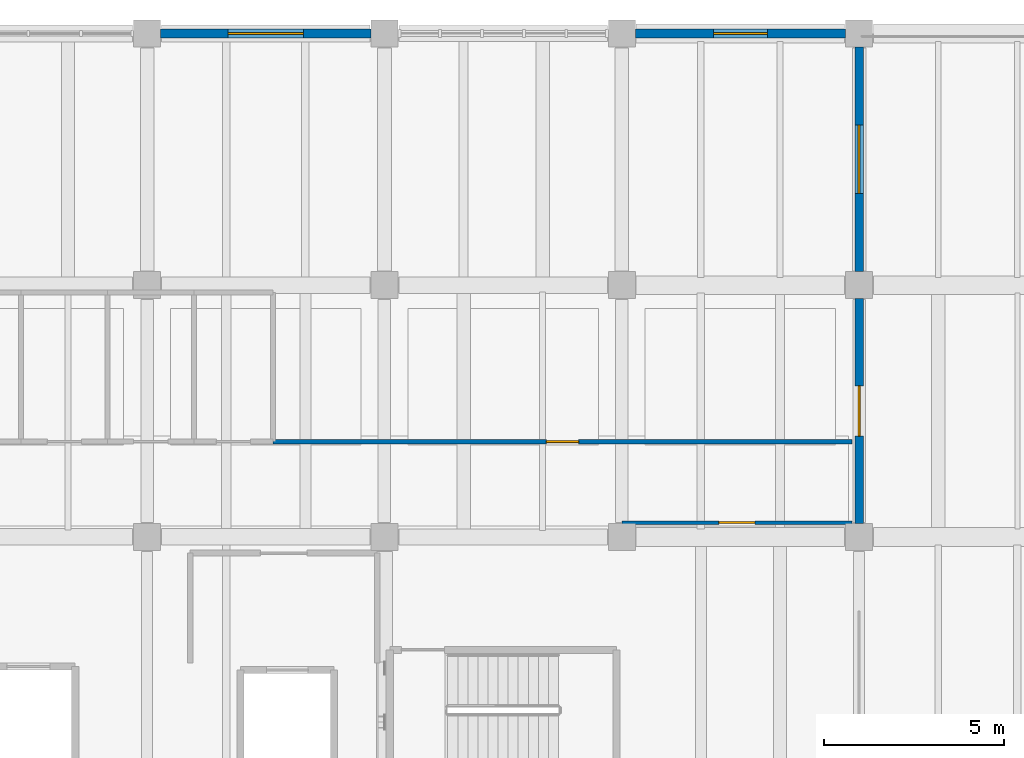
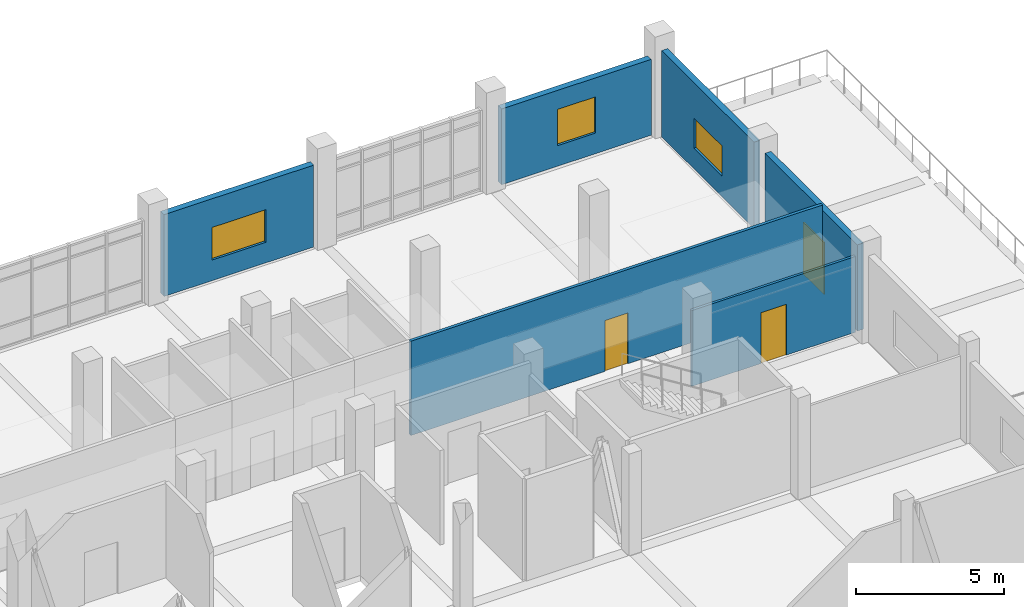
# One storey, part 53 of 65: 6 walls, 3 doors, 3 windows, 6 openings.
"""IFC4 building model written with IfcOpenShell, lengths in metres."""

from ifc_helpers import new_model, si_unit, direction, frame, frame_2d, origin, place, context, subcontext, project, spatial, rectangle, extrude, material, layer, layer_set, type_object, element, fill, save


model = new_model("IFC4")

# Units and contexts
model_context = context("Model", 3, precision=1e-05, world=origin(), true_north=direction((0.0, 1.0)))
body_context = subcontext(model_context, "Body", "Model", "MODEL_VIEW")
ifc_project = project(units=[si_unit("LENGTHUNIT", "METRE"), si_unit("AREAUNIT", "SQUARE_METRE"), si_unit("VOLUMEUNIT", "CUBIC_METRE"), si_unit("PLANEANGLEUNIT", "RADIAN"), si_unit("MASSUNIT", "GRAM", prefix="KILO")], contexts=[model_context])

# Site, building, storey
site_placement = place(None, origin())
site = spatial("IfcSite", under=ifc_project, at=site_placement, CompositionType="ELEMENT")
building_placement = place(site_placement, origin())
building = spatial("IfcBuilding", under=site, at=building_placement, Name="Ciguamira Faculty of Natural Sciences", CompositionType="ELEMENT")
storey_placement = place(building_placement, frame((0.0, 0.0, 12.60009765625)))
storey = spatial("IfcBuildingStorey", under=building, at=storey_placement, Name="L03", CompositionType="ELEMENT", Elevation=12.60009765625)

# Wall, opening, window
ifc_material_1 = material(Name="Precast concrete C40/50", Category="concrete")
ifc_layer_1 = layer(ifc_material_1, 0.239990234375, Name="Precast concrete C40/50")
ifc_layer_set_1 = layer_set([ifc_layer_1], Name="Precast concrete C40/50")
wall_type_1 = type_object("IfcWallType", Name="ExtWall_EW-02_240", PredefinedType="SOLIDWALL", material=ifc_layer_set_1)
wall_1_placement = place(storey_placement, frame((90.675048828125, 115.0, 0.0), z_axis=(0.0, 0.0, 1.0), x_axis=(1.0, 0.0, 0.0)))
wall_1 = element("IfcWall", 1, at=wall_1_placement, inside=storey, type_object=wall_type_1, Name="L03 exterior wall 0285", PredefinedType="SOLIDWALL", context=body_context, shape_type="SweptSolid", body=[
    extrude(rectangle(XDim=5.849853515625, YDim=0.239990234375, at=frame_2d((2.9248046875, 0.0))), origin(), (0.0, 0.0, 1.0), 3.385009765625),
])
opening_1_placement = place(wall_1_placement, frame((1.875, 0.0, 0.85009765625)))
opening_1 = element("IfcOpeningElement", 2, at=opening_1_placement, cuts=wall_1, Name="Opening WT-06", PredefinedType="OPENING", context=body_context, shape_type="SweptSolid", body=[
    extrude(rectangle(XDim=2.10009765625, YDim=1.35009765625, at=frame_2d((1.050048828125, 0.675048828125))), frame((0.0, 0.1298828125, 0.0), z_axis=(0.0, -1.0, 0.0), x_axis=(1.0, 0.0, 0.0)), (0.0, 0.0, 1.0), 0.260009765625),
])
ifc_material_2 = material(Name="Hurricane laminated solar glass", Category="glass")
window_type_1 = type_object("IfcWindowType", Name="Window_WT-06_2100x1350", PartitioningType="DOUBLE_PANEL_VERTICAL", PredefinedType="WINDOW", material=ifc_material_2)
window_1_placement = place(opening_1_placement, origin())
window_1 = element("IfcWindow", 3, at=window_1_placement, inside=storey, type_object=window_type_1, Name="L03 facade window 0181", OverallHeight=1.35009765625, OverallWidth=2.10009765625, PartitioningType="SINGLE_PANEL", PredefinedType="WINDOW", context=body_context, shape_type="SweptSolid", body=[
    extrude(rectangle(XDim=2.10009765625, YDim=1.35009765625, at=frame_2d((1.050048828125, 0.675048828125))), frame((0.0, 0.030029296875, 0.0), z_axis=(0.0, -1.0, 0.0), x_axis=(1.0, 0.0, 0.0)), (0.0, 0.0, 1.0), 0.06005859375),
])
fill(opening_1, window_1)

wall_2_placement = place(storey_placement, frame((103.875, 115.0, 0.0), z_axis=(0.0, 0.0, 1.0), x_axis=(1.0, 0.0, 0.0)))
wall_2 = element("IfcWall", 4, at=wall_2_placement, inside=storey, type_object=wall_type_1, Name="L03 exterior wall 0286", PredefinedType="SOLIDWALL", context=body_context, shape_type="SweptSolid", body=[
    extrude(rectangle(XDim=5.85009765625, YDim=0.239990234375, at=frame_2d((2.925048828125, 0.0))), origin(), (0.0, 0.0, 1.0), 3.135009765625),
])
opening_2_placement = place(wall_2_placement, frame((2.175048828125, 0.0, 0.85009765625)))
opening_2 = element("IfcOpeningElement", 5, at=opening_2_placement, cuts=wall_2, Name="Opening WT-09", PredefinedType="OPENING", context=body_context, shape_type="SweptSolid", body=[
    extrude(rectangle(XDim=1.5, YDim=1.5, at=frame_2d((0.75, 0.75))), frame((0.0, 0.1298828125, 0.0), z_axis=(0.0, -1.0, 0.0), x_axis=(1.0, 0.0, 0.0)), (0.0, 0.0, 1.0), 0.260009765625),
])
window_type_2 = type_object("IfcWindowType", Name="Window_WT-09_1500x1500", PartitioningType="DOUBLE_PANEL_VERTICAL", PredefinedType="WINDOW", material=ifc_material_2)
window_2_placement = place(opening_2_placement, origin())
window_2 = element("IfcWindow", 6, at=window_2_placement, inside=storey, type_object=window_type_2, Name="L03 facade window 0182", OverallHeight=1.5, OverallWidth=1.5, PartitioningType="SINGLE_PANEL", PredefinedType="WINDOW", context=body_context, shape_type="SweptSolid", body=[
    extrude(rectangle(XDim=1.5, YDim=1.5, at=frame_2d((0.75, 0.75))), frame((0.0, 0.030029296875, 0.0), z_axis=(0.0, -1.0, 0.0), x_axis=(1.0, 0.0, 0.0)), (0.0, 0.0, 1.0), 0.06005859375),
])
fill(opening_2, window_2)

# Wall, opening, door
wall_3_placement = place(storey_placement, frame((110.10009765625, 101.375, 0.0), z_axis=(0.0, 0.0, 1.0), x_axis=(0.0, 1.0, 0.0)))
wall_3 = element("IfcWall", 7, at=wall_3_placement, inside=storey, type_object=wall_type_1, Name="L03 exterior wall 0309", PredefinedType="SOLIDWALL", context=body_context, shape_type="SweptSolid", body=[
    extrude(rectangle(XDim=6.25, YDim=0.239990234375, at=frame_2d((3.125, 0.0))), origin(), (0.0, 0.0, 1.0), 3.56494140625),
])
opening_3_placement = place(wall_3_placement, frame((2.425048828125, 0.0, 0.0)))
opening_3 = element("IfcOpeningElement", 8, at=opening_3_placement, cuts=wall_3, Name="Opening ED-06", PredefinedType="OPENING", context=body_context, shape_type="SweptSolid", body=[
    extrude(rectangle(XDim=1.39990234375, YDim=2.14990234375, at=frame_2d((0.699951171875, 1.074951171875))), frame((0.0, 0.1298828125, 0.0), z_axis=(0.0, -1.0, 0.0), x_axis=(1.0, 0.0, 0.0)), (0.0, 0.0, 1.0), 0.260009765625),
])
ifc_material_3 = material(Name="Loggia terrace access door")
door_type_1 = type_object("IfcDoorType", Name="ExtDoor_ED-06_1400x2150", OperationType="NOTDEFINED", PredefinedType="DOOR", material=ifc_material_3)
door_1_placement = place(opening_3_placement, frame((1.39990234375, 0.0, 0.0), z_axis=(0.0, 0.0, 1.0), x_axis=(-1.0, 0.0, 0.0)))
door_1 = element("IfcDoor", 9, at=door_1_placement, inside=storey, type_object=door_type_1, Name="Research East Setback Terrace Door", OperationType="SINGLE_SWING_LEFT", OverallHeight=2.14990234375, OverallWidth=1.39990234375, PredefinedType="DOOR", context=body_context, shape_type="SweptSolid", body=[
    extrude(rectangle(XDim=1.39990234375, YDim=2.14990234375, at=frame_2d((0.699951171875, 1.074951171875))), frame((0.0, 0.02490234375, 0.0), z_axis=(0.0, -1.0, 0.0), x_axis=(1.0, 0.0, 0.0)), (0.0, 0.0, 1.0), 0.050048828125),
])
fill(opening_3, door_1)

# Wall, opening, window
wall_4_placement = place(storey_placement, frame((110.10009765625, 108.375, 0.0), z_axis=(0.0, 0.0, 1.0), x_axis=(0.0, 1.0, 0.0)))
wall_4 = element("IfcWall", 10, at=wall_4_placement, inside=storey, type_object=wall_type_1, Name="L03 exterior wall 0310", PredefinedType="SOLIDWALL", context=body_context, shape_type="SweptSolid", body=[
    extrude(rectangle(XDim=6.25, YDim=0.239990234375, at=frame_2d((3.125, 0.0))), origin(), (0.0, 0.0, 1.0), 3.56494140625),
])
opening_4_placement = place(wall_4_placement, frame((2.175048828125, 0.0, 0.85009765625)))
opening_4 = element("IfcOpeningElement", 11, at=opening_4_placement, cuts=wall_4, Name="Opening WT-17", PredefinedType="OPENING", context=body_context, shape_type="SweptSolid", body=[
    extrude(rectangle(XDim=1.89990234375, YDim=1.25, at=frame_2d((0.949951171875, 0.625))), frame((0.0, 0.1298828125, 0.0), z_axis=(0.0, -1.0, 0.0), x_axis=(1.0, 0.0, 0.0)), (0.0, 0.0, 1.0), 0.260009765625),
])
window_type_3 = type_object("IfcWindowType", Name="Window_WT-17_1900x1250", PartitioningType="DOUBLE_PANEL_VERTICAL", PredefinedType="WINDOW", material=ifc_material_2)
window_3_placement = place(opening_4_placement, origin())
window_3 = element("IfcWindow", 12, at=window_3_placement, inside=storey, type_object=window_type_3, Name="L03 facade window 0204", OverallHeight=1.25, OverallWidth=1.89990234375, PartitioningType="SINGLE_PANEL", PredefinedType="WINDOW", context=body_context, shape_type="SweptSolid", body=[
    extrude(rectangle(XDim=1.89990234375, YDim=1.25, at=frame_2d((0.949951171875, 0.625))), frame((0.0, 0.030029296875, 0.0), z_axis=(0.0, -1.0, 0.0), x_axis=(1.0, 0.0, 0.0)), (0.0, 0.0, 1.0), 0.06005859375),
])
fill(opening_4, window_3)

# Wall, opening, door
ifc_material_4 = material(Name="Fire-rated gypsum partition")
ifc_layer_2 = layer(ifc_material_4, 0.10009765625, Name="Fire-rated gypsum partition")
ifc_layer_set_2 = layer_set([ifc_layer_2], Name="Fire-rated gypsum partition")
wall_type_2 = type_object("IfcWallType", Name="IntWall_IW-A10_100", PredefinedType="PARTITIONING", material=ifc_layer_set_2)
wall_5_placement = place(storey_placement, frame((103.5, 101.39990234375, 0.0), z_axis=(0.0, 0.0, 1.0), x_axis=(1.0, 0.0, 0.0)))
wall_5 = element("IfcWall", 13, at=wall_5_placement, inside=storey, type_object=wall_type_2, Name="L03 East Terrace Access Faculty Study partition north", PredefinedType="PARTITIONING", context=body_context, shape_type="SweptSolid", body=[
    extrude(rectangle(XDim=6.39990234375, YDim=0.10009765625, at=frame_2d((3.199951171875, 0.0))), origin(), (0.0, 0.0, 1.0), 3.135009765625),
])
opening_5_placement = place(wall_5_placement, frame((2.699951171875, 0.0, 0.0)))
opening_5 = element("IfcOpeningElement", 14, at=opening_5_placement, cuts=wall_5, Name="Opening ID-03", PredefinedType="OPENING", context=body_context, shape_type="SweptSolid", body=[
    extrude(rectangle(XDim=1.0, YDim=2.10009765625, at=frame_2d((0.5, 1.050048828125))), frame((0.0, 0.06005859375, 0.0), z_axis=(0.0, -1.0, 0.0), x_axis=(1.0, 0.0, 0.0)), (0.0, 0.0, 1.0), 0.1201171875),
])
ifc_material_5 = material(Name="Restroom lobby fire door")
door_type_2 = type_object("IfcDoorType", Name="IntDoor_ID-03_1000x2100", OperationType="NOTDEFINED", PredefinedType="DOOR", material=ifc_material_5)
door_2_placement = place(opening_5_placement, frame((1.0, 0.0, 0.0), z_axis=(0.0, 0.0, 1.0), x_axis=(-1.0, 0.0, 0.0)))
door_2 = element("IfcDoor", 15, at=door_2_placement, inside=storey, type_object=door_type_2, Name="L03 East Terrace Access Faculty Study door", OperationType="SINGLE_SWING_RIGHT", OverallHeight=2.10009765625, OverallWidth=1.0, PredefinedType="DOOR", context=body_context, shape_type="SweptSolid", body=[
    extrude(rectangle(XDim=1.0, YDim=2.10009765625, at=frame_2d((0.5, 1.050048828125))), frame((0.0, 0.02490234375, 0.0), z_axis=(0.0, -1.0, 0.0), x_axis=(1.0, 0.0, 0.0)), (0.0, 0.0, 1.0), 0.050048828125),
])
fill(opening_5, door_2)

ifc_material_6 = material(Name="Acoustic double-stud gypsum partition")
ifc_layer_3 = layer(ifc_material_6, 0.1201171875, Name="Acoustic double-stud gypsum partition")
ifc_layer_set_3 = layer_set([ifc_layer_3], Name="Acoustic double-stud gypsum partition")
wall_type_3 = type_object("IfcWallType", Name="IntWall_IW-A12_120", PredefinedType="PARTITIONING", material=ifc_layer_set_3)
wall_6_placement = place(storey_placement, frame((93.800048828125, 103.64990234375, 0.0), z_axis=(0.0, 0.0, 1.0), x_axis=(1.0, 0.0, 0.0)))
wall_6 = element("IfcWall", 16, at=wall_6_placement, inside=storey, type_object=wall_type_3, Name="L03 Oceanography Seminar and Terrace Lounge partition south", PredefinedType="PARTITIONING", context=body_context, shape_type="SweptSolid", body=[
    extrude(rectangle(XDim=16.099853515625, YDim=0.1201171875, at=frame_2d((8.0498046875, 0.0))), origin(), (0.0, 0.0, 1.0), 3.89990234375),
])
opening_6_placement = place(wall_6_placement, frame((7.60009765625, 0.0, 0.0)))
opening_6 = element("IfcOpeningElement", 17, at=opening_6_placement, cuts=wall_6, Name="Opening ID-01", PredefinedType="OPENING", context=body_context, shape_type="SweptSolid", body=[
    extrude(rectangle(XDim=0.89990234375, YDim=2.10009765625, at=frame_2d((0.449951171875, 1.050048828125))), frame((0.0, 0.070068359375, 0.0), z_axis=(0.0, -1.0, 0.0), x_axis=(1.0, 0.0, 0.0)), (0.0, 0.0, 1.0), 0.14013671875),
])
ifc_material_7 = material(Name="Single timber office door", Category="wood")
door_type_3 = type_object("IfcDoorType", Name="IntDoor_ID-01_900x2100", OperationType="NOTDEFINED", PredefinedType="DOOR", material=ifc_material_7)
door_3_placement = place(opening_6_placement, origin())
door_3 = element("IfcDoor", 18, at=door_3_placement, inside=storey, type_object=door_type_3, Name="L03 Oceanography Seminar and Terrace Lounge door", OperationType="SINGLE_SWING_RIGHT", OverallHeight=2.10009765625, OverallWidth=0.89990234375, PredefinedType="DOOR", context=body_context, shape_type="SweptSolid", body=[
    extrude(rectangle(XDim=0.89990234375, YDim=2.10009765625, at=frame_2d((0.449951171875, 1.050048828125))), frame((0.0, 0.02490234375, 0.0), z_axis=(0.0, -1.0, 0.0), x_axis=(1.0, 0.0, 0.0)), (0.0, 0.0, 1.0), 0.050048828125),
])
fill(opening_6, door_3)

save(model, "model.ifc")
